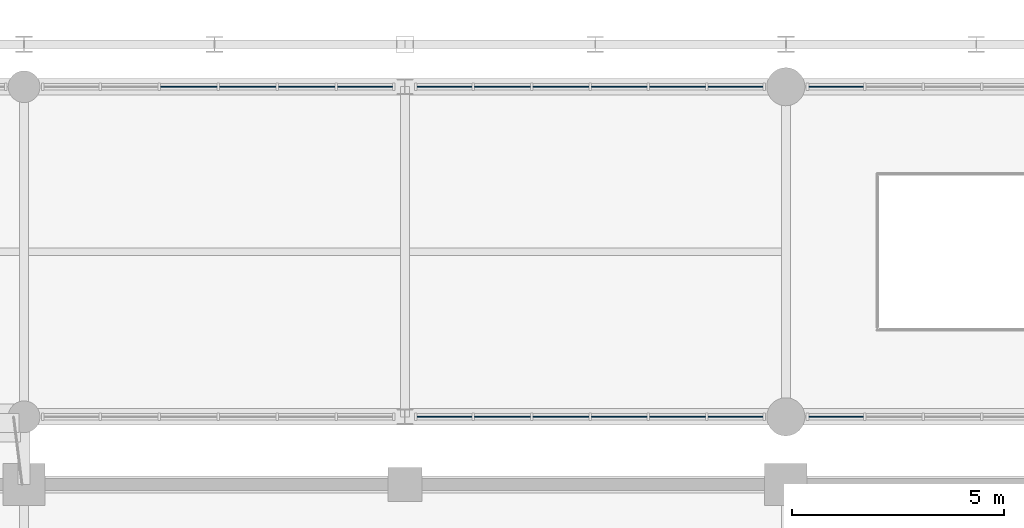
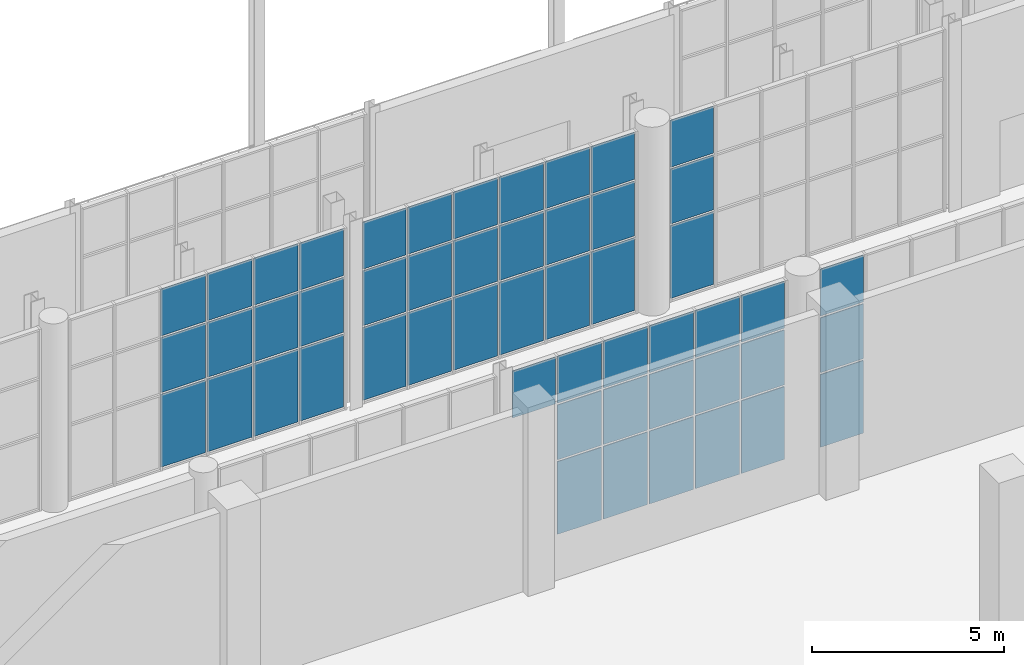
# One storey, part 101 of 159: 52 plates, 5 elements without a shape of their own.
"""IFC4 building model written with IfcOpenShell, lengths in metres."""

from ifc_helpers import new_model, si_unit, direction, frame, origin, origin_2d, place, context, subcontext, project, spatial, rectangle, extrude, material, layer, layer_set, type_object, element, aggregate, save


model = new_model("IFC4")

# Units and contexts
model_context = context("Model", 3, precision=1e-05, world=origin(), true_north=direction((0.0, 1.0)))
body_context = subcontext(model_context, "Body", "Model", "MODEL_VIEW")
ifc_project = project(units=[si_unit("LENGTHUNIT", "METRE"), si_unit("AREAUNIT", "SQUARE_METRE"), si_unit("VOLUMEUNIT", "CUBIC_METRE"), si_unit("PLANEANGLEUNIT", "RADIAN"), si_unit("MASSUNIT", "GRAM", prefix="KILO")], contexts=[model_context])

# Site, building, storey
site_placement = place(None, origin())
site = spatial("IfcSite", under=ifc_project, at=site_placement, CompositionType="ELEMENT")
building_placement = place(site_placement, origin())
building = spatial("IfcBuilding", under=site, at=building_placement, Name="Cazmaro Siding Exhibition Halls", CompositionType="ELEMENT")
storey_placement = place(building_placement, frame((0.0, 0.0, 6.0)))
storey = spatial("IfcBuildingStorey", under=building, at=storey_placement, Name="L01", CompositionType="ELEMENT", Elevation=6.0)

# Curtain wall, plates
ifc_material_1 = material(Name="Anodized Bronze Aluminum and Solar-Control Low-E Glazing", Category="aluminium")
ifc_layer_1 = layer(ifc_material_1, 0.179931640625)
ifc_layer_set_1 = layer_set([ifc_layer_1], Name="Anodized Bronze Aluminum and Solar-Control Low-E Glazing")
curtain_wall_type = type_object("IfcCurtainWallType", Name="CWS-01", PredefinedType="USERDEFINED", material=ifc_layer_set_1)
curtain_wall_1_placement = place(storey_placement, origin())
curtain_wall_1 = element("IfcCurtainWall", 1, at=curtain_wall_1_placement, inside=storey, type_object=curtain_wall_type, Name="Glazed Curtain Wall CWS-01 CW-183", ObjectType="GLAZED CURTAIN WALL", PredefinedType="USERDEFINED")
ifc_material_2 = material(Name="Solar-Control Low-E Double Insulating Glass", Category="glass")
ifc_layer_2 = layer(ifc_material_2, 0.02392578125)
ifc_layer_set_2 = layer_set([ifc_layer_2], Name="Solar-Control Low-E Double Insulating Glass")
plate_type = type_object("IfcPlateType", Name="CWP-01", PredefinedType="CURTAIN_PANEL", material=ifc_layer_set_2)
plate_1_placement = place(storey_placement, frame((116.05810546875, 63.0, 0.06005859375), z_axis=(0.0, 0.0, 1.0), x_axis=(-1.0, 0.0, 0.0)))
plate_1 = element("IfcPlate", 2, at=plate_1_placement, type_object=plate_type, Name="CWS-01 panel 1.1", PredefinedType="CURTAIN_PANEL", context=body_context, shape_type="SweptSolid", body=[
    extrude(rectangle(XDim=1.3037109375, YDim=0.02392578125, at=origin_2d()), origin(), (0.0, 0.0, 1.0), 2.31005859375),
])
plate_2_placement = place(storey_placement, frame((116.05810546875, 63.0, 2.43017578125), z_axis=(0.0, 0.0, 1.0), x_axis=(-1.0, 0.0, 0.0)))
plate_2 = element("IfcPlate", 3, at=plate_2_placement, type_object=plate_type, Name="CWS-01 panel 1.2", PredefinedType="CURTAIN_PANEL", context=body_context, shape_type="SweptSolid", body=[
    extrude(rectangle(XDim=1.3037109375, YDim=0.02392578125, at=origin_2d()), origin(), (0.0, 0.0, 1.0), 1.739990234375),
])
plate_3_placement = place(storey_placement, frame((116.05810546875, 63.0, 4.22998046875), z_axis=(0.0, 0.0, 1.0), x_axis=(-1.0, 0.0, 0.0)))
plate_3 = element("IfcPlate", 4, at=plate_3_placement, type_object=plate_type, Name="CWS-01 panel 1.3", PredefinedType="CURTAIN_PANEL", context=body_context, shape_type="SweptSolid", body=[
    extrude(rectangle(XDim=1.3037109375, YDim=0.02392578125, at=origin_2d()), origin(), (0.0, 0.0, 1.0), 1.489990234375),
])
plate_4_placement = place(storey_placement, frame((114.679443359375, 63.0, 0.06005859375), z_axis=(0.0, 0.0, 1.0), x_axis=(-1.0, 0.0, 0.0)))
plate_4 = element("IfcPlate", 5, at=plate_4_placement, type_object=plate_type, Name="CWS-01 panel 2.1", PredefinedType="CURTAIN_PANEL", context=body_context, shape_type="SweptSolid", body=[
    extrude(rectangle(XDim=1.333740234375, YDim=0.02392578125, at=origin_2d()), origin(), (0.0, 0.0, 1.0), 2.31005859375),
])
plate_5_placement = place(storey_placement, frame((114.679443359375, 63.0, 2.43017578125), z_axis=(0.0, 0.0, 1.0), x_axis=(-1.0, 0.0, 0.0)))
plate_5 = element("IfcPlate", 6, at=plate_5_placement, type_object=plate_type, Name="CWS-01 panel 2.2", PredefinedType="CURTAIN_PANEL", context=body_context, shape_type="SweptSolid", body=[
    extrude(rectangle(XDim=1.333740234375, YDim=0.02392578125, at=origin_2d()), origin(), (0.0, 0.0, 1.0), 1.739990234375),
])
plate_6_placement = place(storey_placement, frame((114.679443359375, 63.0, 4.22998046875), z_axis=(0.0, 0.0, 1.0), x_axis=(-1.0, 0.0, 0.0)))
plate_6 = element("IfcPlate", 7, at=plate_6_placement, type_object=plate_type, Name="CWS-01 panel 2.3", PredefinedType="CURTAIN_PANEL", context=body_context, shape_type="SweptSolid", body=[
    extrude(rectangle(XDim=1.333740234375, YDim=0.02392578125, at=origin_2d()), origin(), (0.0, 0.0, 1.0), 1.489990234375),
])
plate_7_placement = place(storey_placement, frame((113.285888671875, 63.0, 0.06005859375), z_axis=(0.0, 0.0, 1.0), x_axis=(-1.0, 0.0, 0.0)))
plate_7 = element("IfcPlate", 8, at=plate_7_placement, type_object=plate_type, Name="CWS-01 panel 3.1", PredefinedType="CURTAIN_PANEL", context=body_context, shape_type="SweptSolid", body=[
    extrude(rectangle(XDim=1.333740234375, YDim=0.02392578125, at=origin_2d()), origin(), (0.0, 0.0, 1.0), 2.31005859375),
])
plate_8_placement = place(storey_placement, frame((113.285888671875, 63.0, 2.43017578125), z_axis=(0.0, 0.0, 1.0), x_axis=(-1.0, 0.0, 0.0)))
plate_8 = element("IfcPlate", 9, at=plate_8_placement, type_object=plate_type, Name="CWS-01 panel 3.2", PredefinedType="CURTAIN_PANEL", context=body_context, shape_type="SweptSolid", body=[
    extrude(rectangle(XDim=1.333740234375, YDim=0.02392578125, at=origin_2d()), origin(), (0.0, 0.0, 1.0), 1.739990234375),
])
plate_9_placement = place(storey_placement, frame((113.285888671875, 63.0, 4.22998046875), z_axis=(0.0, 0.0, 1.0), x_axis=(-1.0, 0.0, 0.0)))
plate_9 = element("IfcPlate", 10, at=plate_9_placement, type_object=plate_type, Name="CWS-01 panel 3.3", PredefinedType="CURTAIN_PANEL", context=body_context, shape_type="SweptSolid", body=[
    extrude(rectangle(XDim=1.333740234375, YDim=0.02392578125, at=origin_2d()), origin(), (0.0, 0.0, 1.0), 1.489990234375),
])
plate_10_placement = place(storey_placement, frame((111.89208984375, 63.0, 0.06005859375), z_axis=(0.0, 0.0, 1.0), x_axis=(-1.0, 0.0, 0.0)))
plate_10 = element("IfcPlate", 11, at=plate_10_placement, type_object=plate_type, Name="CWS-01 panel 4.1", PredefinedType="CURTAIN_PANEL", context=body_context, shape_type="SweptSolid", body=[
    extrude(rectangle(XDim=1.333740234375, YDim=0.02392578125, at=origin_2d()), origin(), (0.0, 0.0, 1.0), 2.31005859375),
])
plate_11_placement = place(storey_placement, frame((111.89208984375, 63.0, 2.43017578125), z_axis=(0.0, 0.0, 1.0), x_axis=(-1.0, 0.0, 0.0)))
plate_11 = element("IfcPlate", 12, at=plate_11_placement, type_object=plate_type, Name="CWS-01 panel 4.2", PredefinedType="CURTAIN_PANEL", context=body_context, shape_type="SweptSolid", body=[
    extrude(rectangle(XDim=1.333740234375, YDim=0.02392578125, at=origin_2d()), origin(), (0.0, 0.0, 1.0), 1.739990234375),
])
plate_12_placement = place(storey_placement, frame((111.89208984375, 63.0, 4.22998046875), z_axis=(0.0, 0.0, 1.0), x_axis=(-1.0, 0.0, 0.0)))
plate_12 = element("IfcPlate", 13, at=plate_12_placement, type_object=plate_type, Name="CWS-01 panel 4.3", PredefinedType="CURTAIN_PANEL", context=body_context, shape_type="SweptSolid", body=[
    extrude(rectangle(XDim=1.333740234375, YDim=0.02392578125, at=origin_2d()), origin(), (0.0, 0.0, 1.0), 1.489990234375),
])
aggregate(curtain_wall_1, [plate_1, plate_2, plate_3, plate_4, plate_5, plate_6, plate_7, plate_8, plate_9, plate_10, plate_11, plate_12])

curtain_wall_2_placement = place(storey_placement, origin())
curtain_wall_2 = element("IfcCurtainWall", 14, at=curtain_wall_2_placement, inside=storey, type_object=curtain_wall_type, Name="Glazed Curtain Wall CWS-01 CW-186", ObjectType="GLAZED CURTAIN WALL", PredefinedType="USERDEFINED")
plate_13_placement = place(storey_placement, frame((117.935546875, 55.199951171875, 4.22998046875), z_axis=(0.0, 0.0, 1.0), x_axis=(1.0, 0.0, 0.0)))
plate_13 = element("IfcPlate", 15, at=plate_13_placement, type_object=plate_type, Name="CWS-01 panel 1.3", PredefinedType="CURTAIN_PANEL", context=body_context, shape_type="SweptSolid", body=[
    extrude(rectangle(XDim=1.291259765625, YDim=0.02392578125, at=origin_2d()), origin(), (0.0, 0.0, 1.0), 1.489990234375),
])
plate_14_placement = place(storey_placement, frame((119.3017578125, 55.199951171875, 0.06005859375), z_axis=(0.0, 0.0, 1.0), x_axis=(1.0, 0.0, 0.0)))
plate_14 = element("IfcPlate", 16, at=plate_14_placement, type_object=plate_type, Name="CWS-01 panel 2.1", PredefinedType="CURTAIN_PANEL", context=body_context, shape_type="SweptSolid", body=[
    extrude(rectangle(XDim=1.321044921875, YDim=0.02392578125, at=origin_2d()), origin(), (0.0, 0.0, 1.0), 2.31005859375),
])
plate_15_placement = place(storey_placement, frame((119.3017578125, 55.199951171875, 2.43017578125), z_axis=(0.0, 0.0, 1.0), x_axis=(1.0, 0.0, 0.0)))
plate_15 = element("IfcPlate", 17, at=plate_15_placement, type_object=plate_type, Name="CWS-01 panel 2.2", PredefinedType="CURTAIN_PANEL", context=body_context, shape_type="SweptSolid", body=[
    extrude(rectangle(XDim=1.321044921875, YDim=0.02392578125, at=origin_2d()), origin(), (0.0, 0.0, 1.0), 1.739990234375),
])
plate_16_placement = place(storey_placement, frame((119.3017578125, 55.199951171875, 4.22998046875), z_axis=(0.0, 0.0, 1.0), x_axis=(1.0, 0.0, 0.0)))
plate_16 = element("IfcPlate", 18, at=plate_16_placement, type_object=plate_type, Name="CWS-01 panel 2.3", PredefinedType="CURTAIN_PANEL", context=body_context, shape_type="SweptSolid", body=[
    extrude(rectangle(XDim=1.321044921875, YDim=0.02392578125, at=origin_2d()), origin(), (0.0, 0.0, 1.0), 1.489990234375),
])
plate_17_placement = place(storey_placement, frame((120.682861328125, 55.199951171875, 0.06005859375), z_axis=(0.0, 0.0, 1.0), x_axis=(1.0, 0.0, 0.0)))
plate_17 = element("IfcPlate", 19, at=plate_17_placement, type_object=plate_type, Name="CWS-01 panel 3.1", PredefinedType="CURTAIN_PANEL", context=body_context, shape_type="SweptSolid", body=[
    extrude(rectangle(XDim=1.321044921875, YDim=0.02392578125, at=origin_2d()), origin(), (0.0, 0.0, 1.0), 2.31005859375),
])
plate_18_placement = place(storey_placement, frame((120.682861328125, 55.199951171875, 2.43017578125), z_axis=(0.0, 0.0, 1.0), x_axis=(1.0, 0.0, 0.0)))
plate_18 = element("IfcPlate", 20, at=plate_18_placement, type_object=plate_type, Name="CWS-01 panel 3.2", PredefinedType="CURTAIN_PANEL", context=body_context, shape_type="SweptSolid", body=[
    extrude(rectangle(XDim=1.321044921875, YDim=0.02392578125, at=origin_2d()), origin(), (0.0, 0.0, 1.0), 1.739990234375),
])
plate_19_placement = place(storey_placement, frame((120.682861328125, 55.199951171875, 4.22998046875), z_axis=(0.0, 0.0, 1.0), x_axis=(1.0, 0.0, 0.0)))
plate_19 = element("IfcPlate", 21, at=plate_19_placement, type_object=plate_type, Name="CWS-01 panel 3.3", PredefinedType="CURTAIN_PANEL", context=body_context, shape_type="SweptSolid", body=[
    extrude(rectangle(XDim=1.321044921875, YDim=0.02392578125, at=origin_2d()), origin(), (0.0, 0.0, 1.0), 1.489990234375),
])
plate_20_placement = place(storey_placement, frame((122.06396484375, 55.199951171875, 0.06005859375), z_axis=(0.0, 0.0, 1.0), x_axis=(1.0, 0.0, 0.0)))
plate_20 = element("IfcPlate", 22, at=plate_20_placement, type_object=plate_type, Name="CWS-01 panel 4.1", PredefinedType="CURTAIN_PANEL", context=body_context, shape_type="SweptSolid", body=[
    extrude(rectangle(XDim=1.321044921875, YDim=0.02392578125, at=origin_2d()), origin(), (0.0, 0.0, 1.0), 2.31005859375),
])
plate_21_placement = place(storey_placement, frame((122.06396484375, 55.199951171875, 2.43017578125), z_axis=(0.0, 0.0, 1.0), x_axis=(1.0, 0.0, 0.0)))
plate_21 = element("IfcPlate", 23, at=plate_21_placement, type_object=plate_type, Name="CWS-01 panel 4.2", PredefinedType="CURTAIN_PANEL", context=body_context, shape_type="SweptSolid", body=[
    extrude(rectangle(XDim=1.321044921875, YDim=0.02392578125, at=origin_2d()), origin(), (0.0, 0.0, 1.0), 1.739990234375),
])
plate_22_placement = place(storey_placement, frame((122.06396484375, 55.199951171875, 4.22998046875), z_axis=(0.0, 0.0, 1.0), x_axis=(1.0, 0.0, 0.0)))
plate_22 = element("IfcPlate", 24, at=plate_22_placement, type_object=plate_type, Name="CWS-01 panel 4.3", PredefinedType="CURTAIN_PANEL", context=body_context, shape_type="SweptSolid", body=[
    extrude(rectangle(XDim=1.321044921875, YDim=0.02392578125, at=origin_2d()), origin(), (0.0, 0.0, 1.0), 1.489990234375),
])
plate_23_placement = place(storey_placement, frame((123.4453125, 55.199951171875, 0.06005859375), z_axis=(0.0, 0.0, 1.0), x_axis=(1.0, 0.0, 0.0)))
plate_23 = element("IfcPlate", 25, at=plate_23_placement, type_object=plate_type, Name="CWS-01 panel 5.1", PredefinedType="CURTAIN_PANEL", context=body_context, shape_type="SweptSolid", body=[
    extrude(rectangle(XDim=1.321044921875, YDim=0.02392578125, at=origin_2d()), origin(), (0.0, 0.0, 1.0), 2.31005859375),
])
plate_24_placement = place(storey_placement, frame((123.4453125, 55.199951171875, 2.43017578125), z_axis=(0.0, 0.0, 1.0), x_axis=(1.0, 0.0, 0.0)))
plate_24 = element("IfcPlate", 26, at=plate_24_placement, type_object=plate_type, Name="CWS-01 panel 5.2", PredefinedType="CURTAIN_PANEL", context=body_context, shape_type="SweptSolid", body=[
    extrude(rectangle(XDim=1.321044921875, YDim=0.02392578125, at=origin_2d()), origin(), (0.0, 0.0, 1.0), 1.739990234375),
])
plate_25_placement = place(storey_placement, frame((123.4453125, 55.199951171875, 4.22998046875), z_axis=(0.0, 0.0, 1.0), x_axis=(1.0, 0.0, 0.0)))
plate_25 = element("IfcPlate", 27, at=plate_25_placement, type_object=plate_type, Name="CWS-01 panel 5.3", PredefinedType="CURTAIN_PANEL", context=body_context, shape_type="SweptSolid", body=[
    extrude(rectangle(XDim=1.321044921875, YDim=0.02392578125, at=origin_2d()), origin(), (0.0, 0.0, 1.0), 1.489990234375),
])
plate_26_placement = place(storey_placement, frame((124.8115234375, 55.199951171875, 0.06005859375), z_axis=(0.0, 0.0, 1.0), x_axis=(1.0, 0.0, 0.0)))
plate_26 = element("IfcPlate", 28, at=plate_26_placement, type_object=plate_type, Name="CWS-01 panel 6.1", PredefinedType="CURTAIN_PANEL", context=body_context, shape_type="SweptSolid", body=[
    extrude(rectangle(XDim=1.291259765625, YDim=0.02392578125, at=origin_2d()), origin(), (0.0, 0.0, 1.0), 2.31005859375),
])
plate_27_placement = place(storey_placement, frame((124.8115234375, 55.199951171875, 2.43017578125), z_axis=(0.0, 0.0, 1.0), x_axis=(1.0, 0.0, 0.0)))
plate_27 = element("IfcPlate", 29, at=plate_27_placement, type_object=plate_type, Name="CWS-01 panel 6.2", PredefinedType="CURTAIN_PANEL", context=body_context, shape_type="SweptSolid", body=[
    extrude(rectangle(XDim=1.291259765625, YDim=0.02392578125, at=origin_2d()), origin(), (0.0, 0.0, 1.0), 1.739990234375),
])
plate_28_placement = place(storey_placement, frame((124.8115234375, 55.199951171875, 4.22998046875), z_axis=(0.0, 0.0, 1.0), x_axis=(1.0, 0.0, 0.0)))
plate_28 = element("IfcPlate", 30, at=plate_28_placement, type_object=plate_type, Name="CWS-01 panel 6.3", PredefinedType="CURTAIN_PANEL", context=body_context, shape_type="SweptSolid", body=[
    extrude(rectangle(XDim=1.291259765625, YDim=0.02392578125, at=origin_2d()), origin(), (0.0, 0.0, 1.0), 1.489990234375),
])
aggregate(curtain_wall_2, [plate_13, plate_14, plate_15, plate_16, plate_17, plate_18, plate_19, plate_20, plate_21, plate_22, plate_23, plate_24, plate_25, plate_26, plate_27, plate_28])

curtain_wall_3_placement = place(storey_placement, origin())
curtain_wall_3 = element("IfcCurtainWall", 31, at=curtain_wall_3_placement, inside=storey, type_object=curtain_wall_type, Name="Glazed Curtain Wall CWS-01 CW-188", ObjectType="GLAZED CURTAIN WALL", PredefinedType="USERDEFINED")
plate_29_placement = place(storey_placement, frame((124.8115234375, 63.0, 0.06005859375), z_axis=(0.0, 0.0, 1.0), x_axis=(-1.0, 0.0, 0.0)))
plate_29 = element("IfcPlate", 32, at=plate_29_placement, type_object=plate_type, Name="CWS-01 panel 1.1", PredefinedType="CURTAIN_PANEL", context=body_context, shape_type="SweptSolid", body=[
    extrude(rectangle(XDim=1.291259765625, YDim=0.02392578125, at=origin_2d()), origin(), (0.0, 0.0, 1.0), 2.31005859375),
])
plate_30_placement = place(storey_placement, frame((124.8115234375, 63.0, 2.43017578125), z_axis=(0.0, 0.0, 1.0), x_axis=(-1.0, 0.0, 0.0)))
plate_30 = element("IfcPlate", 33, at=plate_30_placement, type_object=plate_type, Name="CWS-01 panel 1.2", PredefinedType="CURTAIN_PANEL", context=body_context, shape_type="SweptSolid", body=[
    extrude(rectangle(XDim=1.291259765625, YDim=0.02392578125, at=origin_2d()), origin(), (0.0, 0.0, 1.0), 1.739990234375),
])
plate_31_placement = place(storey_placement, frame((124.8115234375, 63.0, 4.22998046875), z_axis=(0.0, 0.0, 1.0), x_axis=(-1.0, 0.0, 0.0)))
plate_31 = element("IfcPlate", 34, at=plate_31_placement, type_object=plate_type, Name="CWS-01 panel 1.3", PredefinedType="CURTAIN_PANEL", context=body_context, shape_type="SweptSolid", body=[
    extrude(rectangle(XDim=1.291259765625, YDim=0.02392578125, at=origin_2d()), origin(), (0.0, 0.0, 1.0), 1.489990234375),
])
plate_32_placement = place(storey_placement, frame((123.4453125, 63.0, 0.06005859375), z_axis=(0.0, 0.0, 1.0), x_axis=(-1.0, 0.0, 0.0)))
plate_32 = element("IfcPlate", 35, at=plate_32_placement, type_object=plate_type, Name="CWS-01 panel 2.1", PredefinedType="CURTAIN_PANEL", context=body_context, shape_type="SweptSolid", body=[
    extrude(rectangle(XDim=1.321044921875, YDim=0.02392578125, at=origin_2d()), origin(), (0.0, 0.0, 1.0), 2.31005859375),
])
plate_33_placement = place(storey_placement, frame((123.4453125, 63.0, 2.43017578125), z_axis=(0.0, 0.0, 1.0), x_axis=(-1.0, 0.0, 0.0)))
plate_33 = element("IfcPlate", 36, at=plate_33_placement, type_object=plate_type, Name="CWS-01 panel 2.2", PredefinedType="CURTAIN_PANEL", context=body_context, shape_type="SweptSolid", body=[
    extrude(rectangle(XDim=1.321044921875, YDim=0.02392578125, at=origin_2d()), origin(), (0.0, 0.0, 1.0), 1.739990234375),
])
plate_34_placement = place(storey_placement, frame((123.4453125, 63.0, 4.22998046875), z_axis=(0.0, 0.0, 1.0), x_axis=(-1.0, 0.0, 0.0)))
plate_34 = element("IfcPlate", 37, at=plate_34_placement, type_object=plate_type, Name="CWS-01 panel 2.3", PredefinedType="CURTAIN_PANEL", context=body_context, shape_type="SweptSolid", body=[
    extrude(rectangle(XDim=1.321044921875, YDim=0.02392578125, at=origin_2d()), origin(), (0.0, 0.0, 1.0), 1.489990234375),
])
plate_35_placement = place(storey_placement, frame((122.06396484375, 63.0, 0.06005859375), z_axis=(0.0, 0.0, 1.0), x_axis=(-1.0, 0.0, 0.0)))
plate_35 = element("IfcPlate", 38, at=plate_35_placement, type_object=plate_type, Name="CWS-01 panel 3.1", PredefinedType="CURTAIN_PANEL", context=body_context, shape_type="SweptSolid", body=[
    extrude(rectangle(XDim=1.321044921875, YDim=0.02392578125, at=origin_2d()), origin(), (0.0, 0.0, 1.0), 2.31005859375),
])
plate_36_placement = place(storey_placement, frame((122.06396484375, 63.0, 2.43017578125), z_axis=(0.0, 0.0, 1.0), x_axis=(-1.0, 0.0, 0.0)))
plate_36 = element("IfcPlate", 39, at=plate_36_placement, type_object=plate_type, Name="CWS-01 panel 3.2", PredefinedType="CURTAIN_PANEL", context=body_context, shape_type="SweptSolid", body=[
    extrude(rectangle(XDim=1.321044921875, YDim=0.02392578125, at=origin_2d()), origin(), (0.0, 0.0, 1.0), 1.739990234375),
])
plate_37_placement = place(storey_placement, frame((122.06396484375, 63.0, 4.22998046875), z_axis=(0.0, 0.0, 1.0), x_axis=(-1.0, 0.0, 0.0)))
plate_37 = element("IfcPlate", 40, at=plate_37_placement, type_object=plate_type, Name="CWS-01 panel 3.3", PredefinedType="CURTAIN_PANEL", context=body_context, shape_type="SweptSolid", body=[
    extrude(rectangle(XDim=1.321044921875, YDim=0.02392578125, at=origin_2d()), origin(), (0.0, 0.0, 1.0), 1.489990234375),
])
plate_38_placement = place(storey_placement, frame((120.682861328125, 63.0, 0.06005859375), z_axis=(0.0, 0.0, 1.0), x_axis=(-1.0, 0.0, 0.0)))
plate_38 = element("IfcPlate", 41, at=plate_38_placement, type_object=plate_type, Name="CWS-01 panel 4.1", PredefinedType="CURTAIN_PANEL", context=body_context, shape_type="SweptSolid", body=[
    extrude(rectangle(XDim=1.321044921875, YDim=0.02392578125, at=origin_2d()), origin(), (0.0, 0.0, 1.0), 2.31005859375),
])
plate_39_placement = place(storey_placement, frame((120.682861328125, 63.0, 2.43017578125), z_axis=(0.0, 0.0, 1.0), x_axis=(-1.0, 0.0, 0.0)))
plate_39 = element("IfcPlate", 42, at=plate_39_placement, type_object=plate_type, Name="CWS-01 panel 4.2", PredefinedType="CURTAIN_PANEL", context=body_context, shape_type="SweptSolid", body=[
    extrude(rectangle(XDim=1.321044921875, YDim=0.02392578125, at=origin_2d()), origin(), (0.0, 0.0, 1.0), 1.739990234375),
])
plate_40_placement = place(storey_placement, frame((120.682861328125, 63.0, 4.22998046875), z_axis=(0.0, 0.0, 1.0), x_axis=(-1.0, 0.0, 0.0)))
plate_40 = element("IfcPlate", 43, at=plate_40_placement, type_object=plate_type, Name="CWS-01 panel 4.3", PredefinedType="CURTAIN_PANEL", context=body_context, shape_type="SweptSolid", body=[
    extrude(rectangle(XDim=1.321044921875, YDim=0.02392578125, at=origin_2d()), origin(), (0.0, 0.0, 1.0), 1.489990234375),
])
plate_41_placement = place(storey_placement, frame((119.3017578125, 63.0, 0.06005859375), z_axis=(0.0, 0.0, 1.0), x_axis=(-1.0, 0.0, 0.0)))
plate_41 = element("IfcPlate", 44, at=plate_41_placement, type_object=plate_type, Name="CWS-01 panel 5.1", PredefinedType="CURTAIN_PANEL", context=body_context, shape_type="SweptSolid", body=[
    extrude(rectangle(XDim=1.321044921875, YDim=0.02392578125, at=origin_2d()), origin(), (0.0, 0.0, 1.0), 2.31005859375),
])
plate_42_placement = place(storey_placement, frame((119.3017578125, 63.0, 2.43017578125), z_axis=(0.0, 0.0, 1.0), x_axis=(-1.0, 0.0, 0.0)))
plate_42 = element("IfcPlate", 45, at=plate_42_placement, type_object=plate_type, Name="CWS-01 panel 5.2", PredefinedType="CURTAIN_PANEL", context=body_context, shape_type="SweptSolid", body=[
    extrude(rectangle(XDim=1.321044921875, YDim=0.02392578125, at=origin_2d()), origin(), (0.0, 0.0, 1.0), 1.739990234375),
])
plate_43_placement = place(storey_placement, frame((119.3017578125, 63.0, 4.22998046875), z_axis=(0.0, 0.0, 1.0), x_axis=(-1.0, 0.0, 0.0)))
plate_43 = element("IfcPlate", 46, at=plate_43_placement, type_object=plate_type, Name="CWS-01 panel 5.3", PredefinedType="CURTAIN_PANEL", context=body_context, shape_type="SweptSolid", body=[
    extrude(rectangle(XDim=1.321044921875, YDim=0.02392578125, at=origin_2d()), origin(), (0.0, 0.0, 1.0), 1.489990234375),
])
plate_44_placement = place(storey_placement, frame((117.935546875, 63.0, 0.06005859375), z_axis=(0.0, 0.0, 1.0), x_axis=(-1.0, 0.0, 0.0)))
plate_44 = element("IfcPlate", 47, at=plate_44_placement, type_object=plate_type, Name="CWS-01 panel 6.1", PredefinedType="CURTAIN_PANEL", context=body_context, shape_type="SweptSolid", body=[
    extrude(rectangle(XDim=1.291259765625, YDim=0.02392578125, at=origin_2d()), origin(), (0.0, 0.0, 1.0), 2.31005859375),
])
plate_45_placement = place(storey_placement, frame((117.935546875, 63.0, 2.43017578125), z_axis=(0.0, 0.0, 1.0), x_axis=(-1.0, 0.0, 0.0)))
plate_45 = element("IfcPlate", 48, at=plate_45_placement, type_object=plate_type, Name="CWS-01 panel 6.2", PredefinedType="CURTAIN_PANEL", context=body_context, shape_type="SweptSolid", body=[
    extrude(rectangle(XDim=1.291259765625, YDim=0.02392578125, at=origin_2d()), origin(), (0.0, 0.0, 1.0), 1.739990234375),
])
plate_46_placement = place(storey_placement, frame((117.935546875, 63.0, 4.22998046875), z_axis=(0.0, 0.0, 1.0), x_axis=(-1.0, 0.0, 0.0)))
plate_46 = element("IfcPlate", 49, at=plate_46_placement, type_object=plate_type, Name="CWS-01 panel 6.3", PredefinedType="CURTAIN_PANEL", context=body_context, shape_type="SweptSolid", body=[
    extrude(rectangle(XDim=1.291259765625, YDim=0.02392578125, at=origin_2d()), origin(), (0.0, 0.0, 1.0), 1.489990234375),
])
aggregate(curtain_wall_3, [plate_29, plate_30, plate_31, plate_32, plate_33, plate_34, plate_35, plate_36, plate_37, plate_38, plate_39, plate_40, plate_41, plate_42, plate_43, plate_44, plate_45, plate_46])

curtain_wall_4_placement = place(storey_placement, origin())
curtain_wall_4 = element("IfcCurtainWall", 50, at=curtain_wall_4_placement, inside=storey, type_object=curtain_wall_type, Name="Glazed Curtain Wall CWS-01 CW-192", ObjectType="GLAZED CURTAIN WALL", PredefinedType="USERDEFINED")
plate_47_placement = place(storey_placement, frame((127.1884765625, 55.199951171875, 0.06005859375), z_axis=(0.0, 0.0, 1.0), x_axis=(1.0, 0.0, 0.0)))
plate_47 = element("IfcPlate", 51, at=plate_47_placement, type_object=plate_type, Name="CWS-01 panel 1.1", PredefinedType="CURTAIN_PANEL", context=body_context, shape_type="SweptSolid", body=[
    extrude(rectangle(XDim=1.291259765625, YDim=0.02392578125, at=origin_2d()), origin(), (0.0, 0.0, 1.0), 2.31005859375),
])
plate_48_placement = place(storey_placement, frame((127.1884765625, 55.199951171875, 2.43017578125), z_axis=(0.0, 0.0, 1.0), x_axis=(1.0, 0.0, 0.0)))
plate_48 = element("IfcPlate", 52, at=plate_48_placement, type_object=plate_type, Name="CWS-01 panel 1.2", PredefinedType="CURTAIN_PANEL", context=body_context, shape_type="SweptSolid", body=[
    extrude(rectangle(XDim=1.291259765625, YDim=0.02392578125, at=origin_2d()), origin(), (0.0, 0.0, 1.0), 1.739990234375),
])
plate_49_placement = place(storey_placement, frame((127.1884765625, 55.199951171875, 4.22998046875), z_axis=(0.0, 0.0, 1.0), x_axis=(1.0, 0.0, 0.0)))
plate_49 = element("IfcPlate", 53, at=plate_49_placement, type_object=plate_type, Name="CWS-01 panel 1.3", PredefinedType="CURTAIN_PANEL", context=body_context, shape_type="SweptSolid", body=[
    extrude(rectangle(XDim=1.291259765625, YDim=0.02392578125, at=origin_2d()), origin(), (0.0, 0.0, 1.0), 1.489990234375),
])
aggregate(curtain_wall_4, [plate_47, plate_48, plate_49])

curtain_wall_5_placement = place(storey_placement, origin())
curtain_wall_5 = element("IfcCurtainWall", 54, at=curtain_wall_5_placement, inside=storey, type_object=curtain_wall_type, Name="Glazed Curtain Wall CWS-01 CW-194", ObjectType="GLAZED CURTAIN WALL", PredefinedType="USERDEFINED")
plate_50_placement = place(storey_placement, frame((127.1884765625, 63.0, 0.06005859375), z_axis=(0.0, 0.0, 1.0), x_axis=(-1.0, 0.0, 0.0)))
plate_50 = element("IfcPlate", 55, at=plate_50_placement, type_object=plate_type, Name="CWS-01 panel 6.1", PredefinedType="CURTAIN_PANEL", context=body_context, shape_type="SweptSolid", body=[
    extrude(rectangle(XDim=1.291259765625, YDim=0.02392578125, at=origin_2d()), origin(), (0.0, 0.0, 1.0), 2.31005859375),
])
plate_51_placement = place(storey_placement, frame((127.1884765625, 63.0, 2.43017578125), z_axis=(0.0, 0.0, 1.0), x_axis=(-1.0, 0.0, 0.0)))
plate_51 = element("IfcPlate", 56, at=plate_51_placement, type_object=plate_type, Name="CWS-01 panel 6.2", PredefinedType="CURTAIN_PANEL", context=body_context, shape_type="SweptSolid", body=[
    extrude(rectangle(XDim=1.291259765625, YDim=0.02392578125, at=origin_2d()), origin(), (0.0, 0.0, 1.0), 1.739990234375),
])
plate_52_placement = place(storey_placement, frame((127.1884765625, 63.0, 4.22998046875), z_axis=(0.0, 0.0, 1.0), x_axis=(-1.0, 0.0, 0.0)))
plate_52 = element("IfcPlate", 57, at=plate_52_placement, type_object=plate_type, Name="CWS-01 panel 6.3", PredefinedType="CURTAIN_PANEL", context=body_context, shape_type="SweptSolid", body=[
    extrude(rectangle(XDim=1.291259765625, YDim=0.02392578125, at=origin_2d()), origin(), (0.0, 0.0, 1.0), 1.489990234375),
])
aggregate(curtain_wall_5, [plate_50, plate_51, plate_52])

save(model, "model.ifc")
